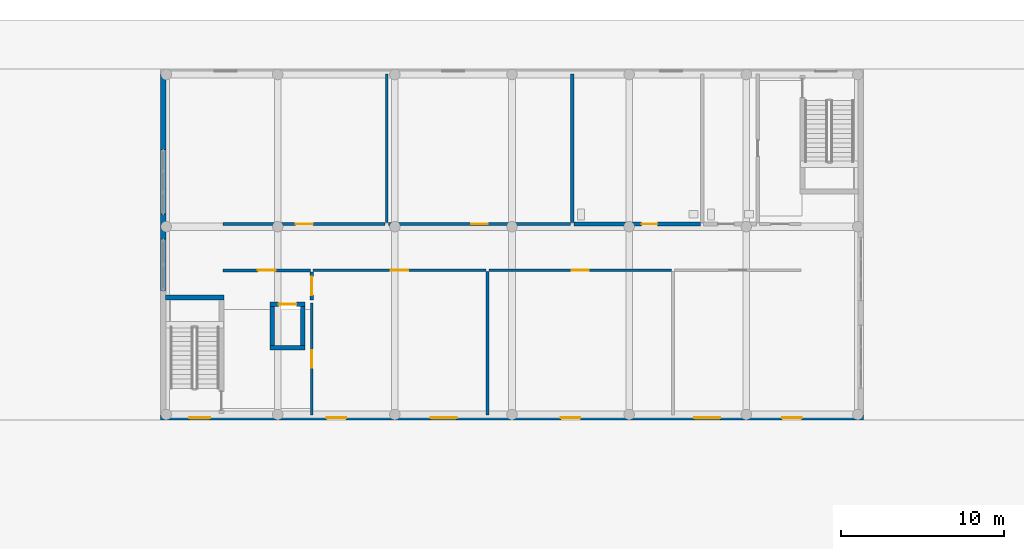
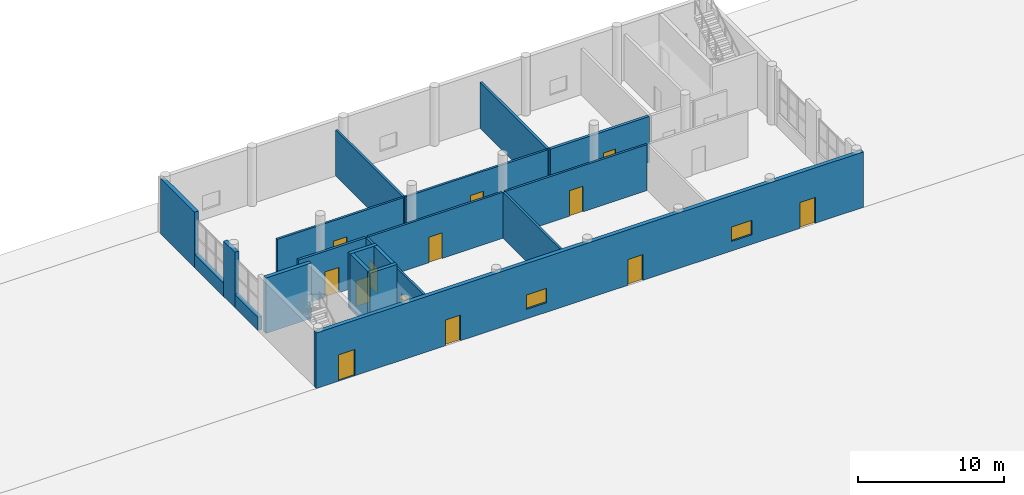
# One storey, part 46 of 85: 21 walls, 13 doors, 2 windows, 15 openings.
"""IFC4 building model written with IfcOpenShell, lengths in metres."""

from ifc_helpers import new_model, si_unit, derived_unit, direction, frame, frame_2d, origin, place, context, subcontext, project, spatial, rectangle, extrude, material, layer, layer_set, type_object, element, fill, save


model = new_model("IFC4")

# Units and contexts
model_context = context("Model", 3, precision=1e-05, world=origin(), true_north=direction((0.0, 1.0)))
body_context = subcontext(model_context, "Body", "Model", "MODEL_VIEW")
ifc_project = project(units=[si_unit("LENGTHUNIT", "METRE"), si_unit("AREAUNIT", "SQUARE_METRE"), si_unit("VOLUMEUNIT", "CUBIC_METRE"), si_unit("PLANEANGLEUNIT", "RADIAN"), si_unit("MASSUNIT", "GRAM", prefix="KILO"), derived_unit("THERMALTRANSMITTANCEUNIT", [(si_unit("MASSUNIT", "GRAM", prefix="KILO"), 1), (si_unit("TIMEUNIT", "SECOND"), -3), (si_unit("THERMODYNAMICTEMPERATUREUNIT", "KELVIN"), -1)])], contexts=[model_context])

# Site, building, storey
site_placement = place(None, origin())
site = spatial("IfcSite", under=ifc_project, at=site_placement, CompositionType="ELEMENT")
building_placement = place(site_placement, origin())
building = spatial("IfcBuilding", under=site, at=building_placement, Name="Ochrekiln Boulevard Commons", CompositionType="ELEMENT")
storey_placement = place(building_placement, origin())
storey = spatial("IfcBuildingStorey", under=building, at=storey_placement, Name="L00", CompositionType="ELEMENT", Elevation=0.0)

# Wall, openings, doors, windows
ifc_material_1 = material(Name="Desert ochre clinker brick masonry ASTM C216 Grade SW", Category="masonry")
ifc_layer_1 = layer(ifc_material_1, 0.320068359375)
ifc_layer_set_1 = layer_set([ifc_layer_1], Name="Desert ochre clinker brick masonry ASTM C216 Grade SW")
wall_type_1 = type_object("IfcWallType", Name="WL-EXT-OCHRE-320", PredefinedType="SOLIDWALL", material=ifc_layer_set_1)
wall_1_placement = place(storey_placement, frame((64.800048828125, 97.360107421875, 0.0), z_axis=(0.0, 0.0, 1.0), x_axis=(1.0, 0.0, 0.0)))
wall_1 = element("IfcWall", 1, at=wall_1_placement, inside=storey, type_object=wall_type_1, Name="Nursery Pavilion L00 S Exterior Wall", PredefinedType="SOLIDWALL", context=body_context, shape_type="SweptSolid", body=[
    extrude(rectangle(XDim=43.199951171875, YDim=0.320068359375, at=frame_2d((21.60009765625, 0.0))), origin(), (0.0, 0.0, 1.0), 4.6298828125),
])
opening_1_placement = place(wall_1_placement, frame((1.75, 0.0, 0.0)))
opening_1 = element("IfcOpeningElement", 2, at=opening_1_placement, cuts=wall_1, Name="Opening D-L00-N1X", PredefinedType="OPENING", context=body_context, shape_type="SweptSolid", body=[
    extrude(rectangle(XDim=1.300048828125, YDim=2.199951171875, at=frame_2d((0.64990234375, 1.10009765625))), frame((0.0, 0.169921875, 0.0), z_axis=(0.0, -1.0, 0.0), x_axis=(1.0, 0.0, 0.0)), (0.0, 0.0, 1.0), 0.340087890625),
])
opening_2_placement = place(wall_1_placement, frame((10.199951171875, 0.0, 0.0)))
opening_2 = element("IfcOpeningElement", 3, at=opening_2_placement, cuts=wall_1, Name="Opening D-L00-NP1", PredefinedType="OPENING", context=body_context, shape_type="SweptSolid", body=[
    extrude(rectangle(XDim=1.199951171875, YDim=2.14990234375, at=frame_2d((0.60009765625, 1.074951171875))), frame((0.0, 0.169921875, 0.0), z_axis=(0.0, -1.0, 0.0), x_axis=(1.0, 0.0, 0.0)), (0.0, 0.0, 1.0), 0.340087890625),
])
opening_3_placement = place(wall_1_placement, frame((24.60009765625, 0.0, 0.0)))
opening_3 = element("IfcOpeningElement", 4, at=opening_3_placement, cuts=wall_1, Name="Opening D-L00-NP2", PredefinedType="OPENING", context=body_context, shape_type="SweptSolid", body=[
    extrude(rectangle(XDim=1.199951171875, YDim=2.14990234375, at=frame_2d((0.60009765625, 1.074951171875))), frame((0.0, 0.169921875, 0.0), z_axis=(0.0, -1.0, 0.0), x_axis=(1.0, 0.0, 0.0)), (0.0, 0.0, 1.0), 0.340087890625),
])
opening_4_placement = place(wall_1_placement, frame((38.199951171875, 0.0, 0.0)))
opening_4 = element("IfcOpeningElement", 5, at=opening_4_placement, cuts=wall_1, Name="Opening D-L00-NP3", PredefinedType="OPENING", context=body_context, shape_type="SweptSolid", body=[
    extrude(rectangle(XDim=1.199951171875, YDim=2.14990234375, at=frame_2d((0.60009765625, 1.074951171875))), frame((0.0, 0.169921875, 0.0), z_axis=(0.0, -1.0, 0.0), x_axis=(1.0, 0.0, 0.0)), (0.0, 0.0, 1.0), 0.340087890625),
])
opening_5_placement = place(wall_1_placement, frame((16.60009765625, 0.0, 0.800048828125)))
opening_5 = element("IfcOpeningElement", 6, at=opening_5_placement, cuts=wall_1, Name="Opening W-31", PredefinedType="OPENING", context=body_context, shape_type="SweptSolid", body=[
    extrude(rectangle(XDim=1.60009765625, YDim=1.199951171875, at=frame_2d((0.800048828125, 0.60009765625))), frame((0.0, 0.169921875, 0.0), z_axis=(0.0, -1.0, 0.0), x_axis=(1.0, 0.0, 0.0)), (0.0, 0.0, 1.0), 0.340087890625),
])
opening_6_placement = place(wall_1_placement, frame((32.800048828125, 0.0, 0.800048828125)))
opening_6 = element("IfcOpeningElement", 7, at=opening_6_placement, cuts=wall_1, Name="Opening W-31", PredefinedType="OPENING", context=body_context, shape_type="SweptSolid", body=[
    extrude(rectangle(XDim=1.60009765625, YDim=1.199951171875, at=frame_2d((0.800048828125, 0.60009765625))), frame((0.0, 0.169921875, 0.0), z_axis=(0.0, -1.0, 0.0), x_axis=(1.0, 0.0, 0.0)), (0.0, 0.0, 1.0), 0.340087890625),
])
ifc_material_2 = material(Name="Thermally broken aluminium-clad oak frame", Category="aluminium")
door_type_1 = type_object("IfcDoorType", Name="DR-EXT-NUR-120", OperationType="NOTDEFINED", PredefinedType="DOOR", material=ifc_material_2)
door_1_placement = place(opening_2_placement, frame((1.199951171875, 0.0, 0.0), z_axis=(0.0, 0.0, 1.0), x_axis=(-1.0, 0.0, 0.0)))
door_1 = element("IfcDoor", 8, at=door_1_placement, inside=storey, type_object=door_type_1, Name="Nursery Classroom 1 Direct Play-Court Exit Door", OperationType="SINGLE_SWING_LEFT", OverallHeight=2.14990234375, OverallWidth=1.199951171875, PredefinedType="DOOR", context=body_context, shape_type="SweptSolid", body=[
    extrude(rectangle(XDim=1.199951171875, YDim=2.14990234375, at=frame_2d((0.60009765625, 1.074951171875))), frame((0.0, 0.02490234375, 0.0), z_axis=(0.0, -1.0, 0.0), x_axis=(1.0, 0.0, 0.0)), (0.0, 0.0, 1.0), 0.050048828125),
])
fill(opening_2, door_1)
door_2_placement = place(opening_3_placement, frame((1.199951171875, 0.0, 0.0), z_axis=(0.0, 0.0, 1.0), x_axis=(-1.0, 0.0, 0.0)))
door_2 = element("IfcDoor", 9, at=door_2_placement, inside=storey, type_object=door_type_1, Name="Nursery Classroom 2 Direct Play-Court Exit Door", OperationType="SINGLE_SWING_LEFT", OverallHeight=2.14990234375, OverallWidth=1.199951171875, PredefinedType="DOOR", context=body_context, shape_type="SweptSolid", body=[
    extrude(rectangle(XDim=1.199951171875, YDim=2.14990234375, at=frame_2d((0.60009765625, 1.074951171875))), frame((0.0, 0.02490234375, 0.0), z_axis=(0.0, -1.0, 0.0), x_axis=(1.0, 0.0, 0.0)), (0.0, 0.0, 1.0), 0.050048828125),
])
fill(opening_3, door_2)
door_3_placement = place(opening_4_placement, frame((1.199951171875, 0.0, 0.0), z_axis=(0.0, 0.0, 1.0), x_axis=(-1.0, 0.0, 0.0)))
door_3 = element("IfcDoor", 10, at=door_3_placement, inside=storey, type_object=door_type_1, Name="Nursery Classroom 3 Direct Play-Court Exit Door", OperationType="SINGLE_SWING_LEFT", OverallHeight=2.14990234375, OverallWidth=1.199951171875, PredefinedType="DOOR", context=body_context, shape_type="SweptSolid", body=[
    extrude(rectangle(XDim=1.199951171875, YDim=2.14990234375, at=frame_2d((0.60009765625, 1.074951171875))), frame((0.0, 0.02490234375, 0.0), z_axis=(0.0, -1.0, 0.0), x_axis=(1.0, 0.0, 0.0)), (0.0, 0.0, 1.0), 0.050048828125),
])
fill(opening_4, door_3)
ifc_material_3 = material(Name="Bronze-anodized extruded aluminium 6063-T6", Category="aluminium")
door_type_2 = type_object("IfcDoorType", Name="DR-EXT-STAIR-130", OperationType="NOTDEFINED", PredefinedType="DOOR", material=ifc_material_3)
door_4_placement = place(opening_1_placement, frame((1.300048828125, 0.0, 0.0), z_axis=(0.0, 0.0, 1.0), x_axis=(-1.0, 0.0, 0.0)))
door_4 = element("IfcDoor", 11, at=door_4_placement, inside=storey, type_object=door_type_2, Name="Nursery Stair ST-N1 Exterior Exit Door", OperationType="SINGLE_SWING_LEFT", OverallHeight=2.199951171875, OverallWidth=1.300048828125, PredefinedType="DOOR", context=body_context, shape_type="SweptSolid", body=[
    extrude(rectangle(XDim=1.300048828125, YDim=2.199951171875, at=frame_2d((0.64990234375, 1.10009765625))), frame((0.0, 0.02490234375, 0.0), z_axis=(0.0, -1.0, 0.0), x_axis=(1.0, 0.0, 0.0)), (0.0, 0.0, 1.0), 0.050048828125),
])
fill(opening_1, door_4)
window_type = type_object("IfcWindowType", Name="WIN-EXT-31", PartitioningType="DOUBLE_PANEL_VERTICAL", PredefinedType="WINDOW", material=ifc_material_2)
window_1_placement = place(opening_5_placement, origin())
window_1 = element("IfcWindow", 12, at=window_1_placement, inside=storey, type_object=window_type, Name="Nursery L00 Play-Court Window 1", OverallHeight=1.199951171875, OverallWidth=1.60009765625, PartitioningType="DOUBLE_PANEL_VERTICAL", PredefinedType="WINDOW", context=body_context, shape_type="SweptSolid", body=[
    extrude(rectangle(XDim=1.60009765625, YDim=1.199951171875, at=frame_2d((0.800048828125, 0.60009765625))), frame((0.0, 0.030029296875, 0.0), z_axis=(0.0, -1.0, 0.0), x_axis=(1.0, 0.0, 0.0)), (0.0, 0.0, 1.0), 0.06005859375),
])
fill(opening_5, window_1)
window_2_placement = place(opening_6_placement, origin())
window_2 = element("IfcWindow", 13, at=window_2_placement, inside=storey, type_object=window_type, Name="Nursery L00 Play-Court Window 2", OverallHeight=1.199951171875, OverallWidth=1.60009765625, PartitioningType="DOUBLE_PANEL_VERTICAL", PredefinedType="WINDOW", context=body_context, shape_type="SweptSolid", body=[
    extrude(rectangle(XDim=1.60009765625, YDim=1.199951171875, at=frame_2d((0.800048828125, 0.60009765625))), frame((0.0, 0.030029296875, 0.0), z_axis=(0.0, -1.0, 0.0), x_axis=(1.0, 0.0, 0.0)), (0.0, 0.0, 1.0), 0.06005859375),
])
fill(opening_6, window_2)

# Walls
wall_2_placement = place(storey_placement, frame((64.9599609375, 108.330078125, 0.0), z_axis=(0.0, 0.0, 1.0), x_axis=(0.0, 1.0, 0.0)))
element("IfcWall", 14, at=wall_2_placement, inside=storey, type_object=wall_type_1, Name="Nursery Pavilion L00 W Mullion Pier Wall", PredefinedType="SOLIDWALL", context=body_context, shape_type="SweptSolid", body=[
    extrude(rectangle(XDim=1.5400390625, YDim=0.320068359375, at=frame_2d((0.77001953125, 0.0))), origin(), (0.0, 0.0, 1.0), 4.6298828125),
])
wall_3_placement = place(storey_placement, frame((64.9599609375, 113.830078125, 0.0), z_axis=(0.0, 0.0, 1.0), x_axis=(0.0, 1.0, 0.0)))
element("IfcWall", 15, at=wall_3_placement, inside=storey, type_object=wall_type_1, Name="Nursery Pavilion L00 W North Pier Wall", PredefinedType="SOLIDWALL", context=body_context, shape_type="SweptSolid", body=[
    extrude(rectangle(XDim=4.64990234375, YDim=0.320068359375, at=frame_2d((2.324951171875, 0.0))), origin(), (0.0, 0.0, 1.0), 4.6298828125),
])
wall_4_placement = place(storey_placement, frame((64.9599609375, 105.169921875, 0.0), z_axis=(0.0, 0.0, 1.0), x_axis=(0.0, 1.0, 0.0)))
element("IfcWall", 16, at=wall_4_placement, inside=storey, type_object=wall_type_1, Name="Nursery Pavilion L00 W Garden Sill Wall 1", PredefinedType="SOLIDWALL", context=body_context, shape_type="SweptSolid", body=[
    extrude(rectangle(XDim=3.16015625, YDim=0.320068359375, at=frame_2d((1.580078125, 0.0))), origin(), (0.0, 0.0, 1.0), 1.110107421875),
])
wall_5_placement = place(storey_placement, frame((64.9599609375, 109.8701171875, 0.0), z_axis=(0.0, 0.0, 1.0), x_axis=(0.0, 1.0, 0.0)))
element("IfcWall", 17, at=wall_5_placement, inside=storey, type_object=wall_type_1, Name="Nursery Pavilion L00 W Garden Sill Wall 2", PredefinedType="SOLIDWALL", context=body_context, shape_type="SweptSolid", body=[
    extrude(rectangle(XDim=3.9599609375, YDim=0.320068359375, at=frame_2d((1.97998046875, 0.0))), origin(), (0.0, 0.0, 1.0), 1.110107421875),
])
ifc_material_4 = material(Name="Moisture-resistant cementitious tile backer wall")
ifc_layer_2 = layer(ifc_material_4, 0.199951171875)
ifc_layer_set_2 = layer_set([ifc_layer_2], Name="Moisture-resistant cementitious tile backer wall")
wall_type_2 = type_object("IfcWallType", Name="WL-PLM-200", PredefinedType="PLUMBINGWALL", material=ifc_layer_set_2)
wall_6_placement = place(storey_placement, frame((90.10009765625, 109.343017578125, 0.0), z_axis=(0.0, 0.0, 1.0), x_axis=(0.0, 1.0, 0.0)))
element("IfcWall", 18, at=wall_6_placement, inside=storey, type_object=wall_type_2, Name="L00 Interior Wall W-PW200", PredefinedType="PLUMBINGWALL", context=body_context, shape_type="SweptSolid", body=[
    extrude(rectangle(XDim=9.136962890625, YDim=0.199951171875, at=frame_2d((4.568359375, 0.0))), origin(), (0.0, 0.0, 1.0), 3.840087890625),
])

# Wall, opening, door
ifc_layer_3 = layer(ifc_material_4, 0.219970703125)
ifc_layer_set_3 = layer_set([ifc_layer_3], Name="Moisture-resistant cementitious tile backer wall")
wall_type_3 = type_object("IfcWallType", Name="WL-PLM-220", PredefinedType="PLUMBINGWALL", material=ifc_layer_set_3)
wall_7_placement = place(storey_placement, frame((90.199951171875, 109.260009765625, 0.0), z_axis=(0.0, 0.0, 1.0), x_axis=(1.0, 0.0, 0.0)))
wall_7 = element("IfcWall", 19, at=wall_7_placement, inside=storey, type_object=wall_type_3, Name="L00 Interior Wall W-PW220", PredefinedType="PLUMBINGWALL", context=body_context, shape_type="SweptSolid", body=[
    extrude(rectangle(XDim=7.800048828125, YDim=0.219970703125, at=frame_2d((3.89990234375, 0.0))), origin(), (0.0, 0.0, 1.0), 3.840087890625),
])
opening_7_placement = place(wall_7_placement, frame((4.169921875, 0.0, 0.0)))
opening_7 = element("IfcOpeningElement", 20, at=opening_7_placement, cuts=wall_7, Name="Opening D-L00-123", PredefinedType="OPENING", context=body_context, shape_type="SweptSolid", body=[
    extrude(rectangle(XDim=0.9599609375, YDim=2.050048828125, at=frame_2d((0.47998046875, 1.02490234375))), frame((0.0, 0.119873046875, 0.0), z_axis=(0.0, -1.0, 0.0), x_axis=(1.0, 0.0, 0.0)), (0.0, 0.0, 1.0), 0.239990234375),
])
ifc_material_5 = material(Name="Solid core architectural oak door leaf")
door_type_3 = type_object("IfcDoorType", Name="DR-INT-ADA-096", OperationType="NOTDEFINED", PredefinedType="DOOR", material=ifc_material_5)
door_5_placement = place(opening_7_placement, origin())
door_5 = element("IfcDoor", 21, at=door_5_placement, inside=storey, type_object=door_type_3, Name="L00 Interior Door to Children Accessible Washroom and WC", OperationType="SINGLE_SWING_LEFT", OverallHeight=2.050048828125, OverallWidth=0.9599609375, PredefinedType="DOOR", context=body_context, shape_type="SweptSolid", body=[
    extrude(rectangle(XDim=0.9599609375, YDim=2.050048828125, at=frame_2d((0.47998046875, 1.02490234375))), frame((0.0, 0.02490234375, 0.0), z_axis=(0.0, -1.0, 0.0), x_axis=(1.0, 0.0, 0.0)), (0.0, 0.0, 1.0), 0.050048828125),
])
fill(opening_7, door_5)

# Walls
ifc_material_6 = material(Name="Fire-rated Type X gypsum board on steel studs", Category="steel")
ifc_layer_4 = layer(ifc_material_6, 0.169921875)
ifc_layer_set_4 = layer_set([ifc_layer_4], Name="Fire-rated Type X gypsum board on steel studs")
wall_type_4 = type_object("IfcWallType", Name="WL-PT-CIV-170", PredefinedType="PARTITIONING", material=ifc_layer_set_4)
wall_8_placement = place(storey_placement, frame((84.89990234375, 97.52001953125, 0.0), z_axis=(0.0, 0.0, 1.0), x_axis=(0.0, 1.0, 0.0)))
element("IfcWall", 22, at=wall_8_placement, inside=storey, type_object=wall_type_4, Name="L00 Interior Wall W-PV170", PredefinedType="PARTITIONING", context=body_context, shape_type="SweptSolid", body=[
    extrude(rectangle(XDim=8.807861328125, YDim=0.169921875, at=frame_2d((4.40380859375, 0.0))), origin(), (0.0, 0.0, 1.0), 3.840087890625),
])
wall_9_placement = place(storey_placement, frame((78.699951171875, 109.343017578125, 0.0), z_axis=(0.0, 0.0, 1.0), x_axis=(0.0, 1.0, 0.0)))
element("IfcWall", 23, at=wall_9_placement, inside=storey, type_object=wall_type_4, Name="L00 Interior Wall W-PV170", PredefinedType="PARTITIONING", context=body_context, shape_type="SweptSolid", body=[
    extrude(rectangle(XDim=9.136962890625, YDim=0.169921875, at=frame_2d((4.568359375, 0.0))), origin(), (0.0, 0.0, 1.0), 3.840087890625),
])

# Wall, opening, door
ifc_layer_5 = layer(ifc_material_6, 0.1650390625)
ifc_layer_set_5 = layer_set([ifc_layer_5], Name="Fire-rated Type X gypsum board on steel studs")
wall_type_5 = type_object("IfcWallType", Name="WL-PT-CORR-165", PredefinedType="PARTITIONING", material=ifc_layer_set_5)
wall_10_placement = place(storey_placement, frame((74.090087890625, 97.52001953125, 0.0), z_axis=(0.0, 0.0, 1.0), x_axis=(0.0, 1.0, 0.0)))
wall_10 = element("IfcWall", 24, at=wall_10_placement, inside=storey, type_object=wall_type_5, Name="L00 Interior Wall W-PC165", PredefinedType="PARTITIONING", context=body_context, shape_type="SweptSolid", body=[
    extrude(rectangle(XDim=6.89990234375, YDim=0.1650390625, at=frame_2d((3.449951171875, 0.0))), origin(), (0.0, 0.0, 1.0), 3.840087890625),
])
opening_8_placement = place(wall_10_placement, frame((2.919921875, 0.0, 0.0)))
opening_8 = element("IfcOpeningElement", 25, at=opening_8_placement, cuts=wall_10, Name="Opening D-L00-114", PredefinedType="OPENING", context=body_context, shape_type="SweptSolid", body=[
    extrude(rectangle(XDim=1.06005859375, YDim=2.139892578125, at=frame_2d((0.530029296875, 1.06982421875))), frame((0.0, 0.092529296875, 0.0), z_axis=(0.0, -1.0, 0.0), x_axis=(1.0, 0.0, 0.0)), (0.0, 0.0, 1.0), 0.18505859375),
])
door_type_4 = type_object("IfcDoorType", Name="DR-INT-NUR-106", OperationType="NOTDEFINED", PredefinedType="DOOR", material=ifc_material_5)
door_6_placement = place(opening_8_placement, frame((1.06005859375, 0.0, 0.0), z_axis=(0.0, 0.0, 1.0), x_axis=(-1.0, 0.0, 0.0)))
door_6 = element("IfcDoor", 26, at=door_6_placement, inside=storey, type_object=door_type_4, Name="L00 Interior Door to Nursery Infant and Toddler Classroom 1", OperationType="SINGLE_SWING_RIGHT", OverallHeight=2.139892578125, OverallWidth=1.06005859375, PredefinedType="DOOR", context=body_context, shape_type="SweptSolid", body=[
    extrude(rectangle(XDim=1.06005859375, YDim=2.139892578125, at=frame_2d((0.530029296875, 1.06982421875))), frame((0.0, 0.02490234375, 0.0), z_axis=(0.0, -1.0, 0.0), x_axis=(1.0, 0.0, 0.0)), (0.0, 0.0, 1.0), 0.050048828125),
])
fill(opening_8, door_6)

wall_11_placement = place(storey_placement, frame((74.179931640625, 106.409912109375, 0.0), z_axis=(0.0, 0.0, 1.0), x_axis=(1.0, 0.0, 0.0)))
wall_11 = element("IfcWall", 27, at=wall_11_placement, inside=storey, type_object=wall_type_5, Name="L00 Interior Wall W-PC165", PredefinedType="PARTITIONING", context=body_context, shape_type="SweptSolid", body=[
    extrude(rectangle(XDim=10.6201171875, YDim=0.1650390625, at=frame_2d((5.31005859375, 0.0))), origin(), (0.0, 0.0, 1.0), 3.840087890625),
])
opening_9_placement = place(wall_11_placement, frame((4.780029296875, 0.0, 0.0)))
opening_9 = element("IfcOpeningElement", 28, at=opening_9_placement, cuts=wall_11, Name="Opening D-L00-118", PredefinedType="OPENING", context=body_context, shape_type="SweptSolid", body=[
    extrude(rectangle(XDim=1.06005859375, YDim=2.139892578125, at=frame_2d((0.530029296875, 1.06982421875))), frame((0.0, 0.092529296875, 0.0), z_axis=(0.0, -1.0, 0.0), x_axis=(1.0, 0.0, 0.0)), (0.0, 0.0, 1.0), 0.18505859375),
])
door_7_placement = place(opening_9_placement, frame((1.06005859375, 0.0, 0.0), z_axis=(0.0, 0.0, 1.0), x_axis=(-1.0, 0.0, 0.0)))
door_7 = element("IfcDoor", 29, at=door_7_placement, inside=storey, type_object=door_type_4, Name="L00 Interior Door to Nursery Infant and Toddler Classroom 1", OperationType="SINGLE_SWING_RIGHT", OverallHeight=2.139892578125, OverallWidth=1.06005859375, PredefinedType="DOOR", context=body_context, shape_type="SweptSolid", body=[
    extrude(rectangle(XDim=1.06005859375, YDim=2.139892578125, at=frame_2d((0.530029296875, 1.06982421875))), frame((0.0, 0.02490234375, 0.0), z_axis=(0.0, -1.0, 0.0), x_axis=(1.0, 0.0, 0.0)), (0.0, 0.0, 1.0), 0.050048828125),
])
fill(opening_9, door_7)

wall_12_placement = place(storey_placement, frame((85.0, 106.409912109375, 0.0), z_axis=(0.0, 0.0, 1.0), x_axis=(1.0, 0.0, 0.0)))
wall_12 = element("IfcWall", 30, at=wall_12_placement, inside=storey, type_object=wall_type_5, Name="L00 Interior Wall W-PC165", PredefinedType="PARTITIONING", context=body_context, shape_type="SweptSolid", body=[
    extrude(rectangle(XDim=11.199951171875, YDim=0.1650390625, at=frame_2d((5.60009765625, 0.0))), origin(), (0.0, 0.0, 1.0), 3.840087890625),
])
opening_10_placement = place(wall_12_placement, frame((5.070068359375, 0.0, 0.0)))
opening_10 = element("IfcOpeningElement", 31, at=opening_10_placement, cuts=wall_12, Name="Opening D-L00-119", PredefinedType="OPENING", context=body_context, shape_type="SweptSolid", body=[
    extrude(rectangle(XDim=1.06005859375, YDim=2.139892578125, at=frame_2d((0.530029296875, 1.06982421875))), frame((0.0, 0.092529296875, 0.0), z_axis=(0.0, -1.0, 0.0), x_axis=(1.0, 0.0, 0.0)), (0.0, 0.0, 1.0), 0.18505859375),
])
door_8_placement = place(opening_10_placement, frame((1.06005859375, 0.0, 0.0), z_axis=(0.0, 0.0, 1.0), x_axis=(-1.0, 0.0, 0.0)))
door_8 = element("IfcDoor", 32, at=door_8_placement, inside=storey, type_object=door_type_4, Name="L00 Interior Door to Nursery Infant and Toddler Classroom 2", OperationType="SINGLE_SWING_LEFT", OverallHeight=2.139892578125, OverallWidth=1.06005859375, PredefinedType="DOOR", context=body_context, shape_type="SweptSolid", body=[
    extrude(rectangle(XDim=1.06005859375, YDim=2.139892578125, at=frame_2d((0.530029296875, 1.06982421875))), frame((0.0, 0.02490234375, 0.0), z_axis=(0.0, -1.0, 0.0), x_axis=(1.0, 0.0, 0.0)), (0.0, 0.0, 1.0), 0.050048828125),
])
fill(opening_10, door_8)

wall_13_placement = place(storey_placement, frame((68.64990234375, 109.260009765625, 0.0), z_axis=(0.0, 0.0, 1.0), x_axis=(1.0, 0.0, 0.0)))
wall_13 = element("IfcWall", 33, at=wall_13_placement, inside=storey, type_object=wall_type_5, Name="L00 Interior Wall W-PC165", PredefinedType="PARTITIONING", context=body_context, shape_type="SweptSolid", body=[
    extrude(rectangle(XDim=9.9501953125, YDim=0.1650390625, at=frame_2d((4.97509765625, 0.0))), origin(), (0.0, 0.0, 1.0), 3.840087890625),
])
opening_11_placement = place(wall_13_placement, frame((4.445068359375, 0.0, 0.0)))
opening_11 = element("IfcOpeningElement", 34, at=opening_11_placement, cuts=wall_13, Name="Opening D-L00-121", PredefinedType="OPENING", context=body_context, shape_type="SweptSolid", body=[
    extrude(rectangle(XDim=1.06005859375, YDim=2.139892578125, at=frame_2d((0.530029296875, 1.06982421875))), frame((0.0, 0.092529296875, 0.0), z_axis=(0.0, -1.0, 0.0), x_axis=(1.0, 0.0, 0.0)), (0.0, 0.0, 1.0), 0.18505859375),
])
door_9_placement = place(opening_11_placement, origin())
door_9 = element("IfcDoor", 35, at=door_9_placement, inside=storey, type_object=door_type_4, Name="L00 Interior Door to Nursery Quiet Nap Room", OperationType="SINGLE_SWING_LEFT", OverallHeight=2.139892578125, OverallWidth=1.06005859375, PredefinedType="DOOR", context=body_context, shape_type="SweptSolid", body=[
    extrude(rectangle(XDim=1.06005859375, YDim=2.139892578125, at=frame_2d((0.530029296875, 1.06982421875))), frame((0.0, 0.02490234375, 0.0), z_axis=(0.0, -1.0, 0.0), x_axis=(1.0, 0.0, 0.0)), (0.0, 0.0, 1.0), 0.050048828125),
])
fill(opening_11, door_9)

wall_14_placement = place(storey_placement, frame((78.800048828125, 109.260009765625, 0.0), z_axis=(0.0, 0.0, 1.0), x_axis=(1.0, 0.0, 0.0)))
wall_14 = element("IfcWall", 36, at=wall_14_placement, inside=storey, type_object=wall_type_5, Name="L00 Interior Wall W-PC165", PredefinedType="PARTITIONING", context=body_context, shape_type="SweptSolid", body=[
    extrude(rectangle(XDim=11.199951171875, YDim=0.1650390625, at=frame_2d((5.60009765625, 0.0))), origin(), (0.0, 0.0, 1.0), 3.840087890625),
])
opening_12_placement = place(wall_14_placement, frame((5.090087890625, 0.0, 0.0)))
opening_12 = element("IfcOpeningElement", 37, at=opening_12_placement, cuts=wall_14, Name="Opening D-L00-122", PredefinedType="OPENING", context=body_context, shape_type="SweptSolid", body=[
    extrude(rectangle(XDim=1.02001953125, YDim=2.159912109375, at=frame_2d((0.510009765625, 1.080078125))), frame((0.0, 0.092529296875, 0.0), z_axis=(0.0, -1.0, 0.0), x_axis=(1.0, 0.0, 0.0)), (0.0, 0.0, 1.0), 0.18505859375),
])
door_type_5 = type_object("IfcDoorType", Name="DR-INT-CIV-102", OperationType="NOTDEFINED", PredefinedType="DOOR", material=ifc_material_5)
door_10_placement = place(opening_12_placement, origin())
door_10 = element("IfcDoor", 38, at=door_10_placement, inside=storey, type_object=door_type_5, Name="L00 Interior Door to Nursery Warming Pantry", OperationType="SINGLE_SWING_RIGHT", OverallHeight=2.159912109375, OverallWidth=1.02001953125, PredefinedType="DOOR", context=body_context, shape_type="SweptSolid", body=[
    extrude(rectangle(XDim=1.02001953125, YDim=2.159912109375, at=frame_2d((0.510009765625, 1.080078125))), frame((0.0, 0.02490234375, 0.0), z_axis=(0.0, -1.0, 0.0), x_axis=(1.0, 0.0, 0.0)), (0.0, 0.0, 1.0), 0.050048828125),
])
fill(opening_12, door_10)

ifc_layer_6 = layer(ifc_material_6, 0.18994140625)
ifc_layer_set_6 = layer_set([ifc_layer_6], Name="Fire-rated Type X gypsum board on steel studs")
wall_type_6 = type_object("IfcWallType", Name="WL-PT-LBY-190", PredefinedType="PARTITIONING", material=ifc_layer_set_6)
wall_15_placement = place(storey_placement, frame((68.64990234375, 106.409912109375, 0.0), z_axis=(0.0, 0.0, 1.0), x_axis=(1.0, 0.0, 0.0)))
wall_15 = element("IfcWall", 39, at=wall_15_placement, inside=storey, type_object=wall_type_6, Name="L00 Interior Wall W-PL190", PredefinedType="PARTITIONING", context=body_context, shape_type="SweptSolid", body=[
    extrude(rectangle(XDim=5.35009765625, YDim=0.18994140625, at=frame_2d((2.675048828125, 0.0))), origin(), (0.0, 0.0, 1.0), 3.840087890625),
])
opening_13_placement = place(wall_15_placement, frame((2.125, 0.0, 0.0)))
opening_13 = element("IfcOpeningElement", 40, at=opening_13_placement, cuts=wall_15, Name="Opening D-L00-115", PredefinedType="OPENING", context=body_context, shape_type="SweptSolid", body=[
    extrude(rectangle(XDim=1.10009765625, YDim=2.1201171875, at=frame_2d((0.550048828125, 1.06005859375))), frame((0.0, 0.10498046875, 0.0), z_axis=(0.0, -1.0, 0.0), x_axis=(1.0, 0.0, 0.0)), (0.0, 0.0, 1.0), 0.2099609375),
])
ifc_material_7 = material(Name="Hollow metal fire-rated steel door assembly", Category="steel")
door_type_6 = type_object("IfcDoorType", Name="DR-LOBBY-60", OperationType="NOTDEFINED", PredefinedType="DOOR", material=ifc_material_7)
door_11_placement = place(opening_13_placement, frame((1.10009765625, 0.0, 0.0), z_axis=(0.0, 0.0, 1.0), x_axis=(-1.0, 0.0, 0.0)))
door_11 = element("IfcDoor", 41, at=door_11_placement, inside=storey, type_object=door_type_6, Name="L00 Interior Door to Passenger Elevator Lobby", OperationType="SINGLE_SWING_LEFT", OverallHeight=2.1201171875, OverallWidth=1.10009765625, PredefinedType="DOOR", context=body_context, shape_type="SweptSolid", body=[
    extrude(rectangle(XDim=1.10009765625, YDim=2.1201171875, at=frame_2d((0.550048828125, 1.06005859375))), frame((0.0, 0.02490234375, 0.0), z_axis=(0.0, -1.0, 0.0), x_axis=(1.0, 0.0, 0.0)), (0.0, 0.0, 1.0), 0.050048828125),
])
fill(opening_13, door_11)

wall_16_placement = place(storey_placement, frame((74.090087890625, 104.60009765625, 0.0), z_axis=(0.0, 0.0, 1.0), x_axis=(0.0, 1.0, 0.0)))
wall_16 = element("IfcWall", 42, at=wall_16_placement, inside=storey, type_object=wall_type_6, Name="L00 Interior Wall W-PL190", PredefinedType="PARTITIONING", context=body_context, shape_type="SweptSolid", body=[
    extrude(rectangle(XDim=1.719970703125, YDim=0.18994140625, at=frame_2d((0.85986328125, 0.0))), origin(), (0.0, 0.0, 1.0), 3.840087890625),
])
opening_14_placement = place(wall_16_placement, frame((0.2900390625, 0.0, 0.0)))
opening_14 = element("IfcOpeningElement", 43, at=opening_14_placement, cuts=wall_16, Name="Opening D-L00-116", PredefinedType="OPENING", context=body_context, shape_type="SweptSolid", body=[
    extrude(rectangle(XDim=1.139892578125, YDim=2.179931640625, at=frame_2d((0.56982421875, 1.08984375))), frame((0.0, 0.10498046875, 0.0), z_axis=(0.0, -1.0, 0.0), x_axis=(1.0, 0.0, 0.0)), (0.0, 0.0, 1.0), 0.2099609375),
])
door_type_7 = type_object("IfcDoorType", Name="DR-INT-CIV-114", OperationType="NOTDEFINED", PredefinedType="DOOR", material=ifc_material_5)
door_12_placement = place(opening_14_placement, frame((1.139892578125, 0.0, 0.0), z_axis=(0.0, 0.0, 1.0), x_axis=(-1.0, 0.0, 0.0)))
door_12 = element("IfcDoor", 44, at=door_12_placement, inside=storey, type_object=door_type_7, Name="L00 Interior Door to Nursery Infant and Toddler Classroom 1", OperationType="SINGLE_SWING_RIGHT", OverallHeight=2.179931640625, OverallWidth=1.139892578125, PredefinedType="DOOR", context=body_context, shape_type="SweptSolid", body=[
    extrude(rectangle(XDim=1.139892578125, YDim=2.179931640625, at=frame_2d((0.56982421875, 1.08984375))), frame((0.0, 0.02490234375, 0.0), z_axis=(0.0, -1.0, 0.0), x_axis=(1.0, 0.0, 0.0)), (0.0, 0.0, 1.0), 0.050048828125),
])
fill(opening_14, door_12)

# Wall
ifc_material_8 = material(Name="Concrete C40/50", Category="concrete")
ifc_layer_7 = layer(ifc_material_8, 0.27490234375)
ifc_layer_set_7 = layer_set([ifc_layer_7], Name="Concrete C40/50")
wall_type_7 = type_object("IfcWallType", Name="WL-SH-275", PredefinedType="SHEAR", material=ifc_layer_set_7)
wall_17_placement = place(storey_placement, frame((71.52490234375, 101.66259765625, 0.0), z_axis=(0.0, 0.0, 1.0), x_axis=(1.0, 0.0, 0.0)))
element("IfcWall", 45, at=wall_17_placement, inside=storey, type_object=wall_type_7, Name="Elevator LP-N1 L00 Hoistway Shear Wall", PredefinedType="SHEAR", context=body_context, shape_type="SweptSolid", body=[
    extrude(rectangle(XDim=2.150146484375, YDim=0.27490234375, at=frame_2d((1.0751953125, 0.0))), origin(), (0.0, 0.0, 1.0), 4.6298828125),
])

# Wall, opening, door
wall_18_placement = place(storey_placement, frame((71.52490234375, 104.33740234375, 0.0), z_axis=(0.0, 0.0, 1.0), x_axis=(1.0, 0.0, 0.0)))
wall_18 = element("IfcWall", 46, at=wall_18_placement, inside=storey, type_object=wall_type_7, Name="Elevator LP-N1 L00 Hoistway Shear Wall", PredefinedType="SHEAR", context=body_context, shape_type="SweptSolid", body=[
    extrude(rectangle(XDim=2.150146484375, YDim=0.27490234375, at=frame_2d((1.0751953125, 0.0))), origin(), (0.0, 0.0, 1.0), 4.6298828125),
])
opening_15_placement = place(wall_18_placement, frame((0.52490234375, 0.0, 0.0)))
opening_15 = element("IfcOpeningElement", 47, at=opening_15_placement, cuts=wall_18, Name="Opening LD-LP-N1-L00", PredefinedType="OPENING", context=body_context, shape_type="SweptSolid", body=[
    extrude(rectangle(XDim=1.10009765625, YDim=2.14990234375, at=frame_2d((0.550048828125, 1.074951171875))), frame((0.0, 0.1474609375, 0.0), z_axis=(0.0, -1.0, 0.0), x_axis=(1.0, 0.0, 0.0)), (0.0, 0.0, 1.0), 0.294921875),
])
ifc_material_9 = material(Name="Brushed stainless steel 316 elevator cab and doors", Category="steel")
door_type_8 = type_object("IfcDoorType", Name="DR-LIFT-LD90", OperationType="SLIDING_TO_LEFT", PredefinedType="DOOR", material=ifc_material_9)
door_13_placement = place(opening_15_placement, origin())
door_13 = element("IfcDoor", 48, at=door_13_placement, inside=storey, type_object=door_type_8, Name="Elevator LP-N1 L00 Sliding Landing Door LD-LP-N1-L00", OperationType="SLIDING_TO_LEFT", OverallHeight=2.14990234375, OverallWidth=1.10009765625, PredefinedType="DOOR", context=body_context, shape_type="SweptSolid", body=[
    extrude(rectangle(XDim=1.10009765625, YDim=2.14990234375, at=frame_2d((0.550048828125, 1.074951171875))), frame((0.0, 0.02490234375, 0.0), z_axis=(0.0, -1.0, 0.0), x_axis=(1.0, 0.0, 0.0)), (0.0, 0.0, 1.0), 0.050048828125),
])
fill(opening_15, door_13)

# Walls
for number, where, z_axis, x_axis, name in (
    (49, (71.66259765625, 101.800048828125, 0.0), (0.0, 0.0, 1.0), (0.0, 1.0, 0.0), "Elevator LP-N1 L00 Hoistway Shear Wall"),
    (50, (73.53759765625, 101.800048828125, 0.0), (0.0, 0.0, 1.0), (0.0, 1.0, 0.0), "Elevator LP-N1 L00 Hoistway Shear Wall"),
):
    element("IfcWall", number, at=place(storey_placement, frame(where, z_axis=z_axis, x_axis=x_axis)), inside=storey, type_object=wall_type_7, Name=name, PredefinedType="SHEAR", context=body_context, shape_type="SweptSolid", body=[
        extrude(rectangle(XDim=2.39990234375, YDim=0.27490234375, at=frame_2d((1.199951171875, 0.0))), origin(), (0.0, 0.0, 1.0), 4.6298828125),
    ])
ifc_layer_8 = layer(ifc_material_8, 0.300048828125)
ifc_layer_set_8 = layer_set([ifc_layer_8], Name="Concrete C40/50")
wall_type_8 = type_object("IfcWallType", Name="WL-SH-300", PredefinedType="SHEAR", material=ifc_layer_set_8)
wall_19_placement = place(storey_placement, frame((65.10009765625, 104.75, 0.0), z_axis=(0.0, 0.0, 1.0), x_axis=(1.0, 0.0, 0.0)))
element("IfcWall", 51, at=wall_19_placement, inside=storey, type_object=wall_type_8, Name="Stair ST-N1 L00 Core Shear Wall N", PredefinedType="SHEAR", context=body_context, shape_type="SweptSolid", body=[
    extrude(rectangle(XDim=3.599853515625, YDim=0.300048828125, at=frame_2d((1.7998046875, 0.0))), origin(), (0.0, 0.0, 1.0), 4.6298828125),
])

save(model, "model.ifc")
